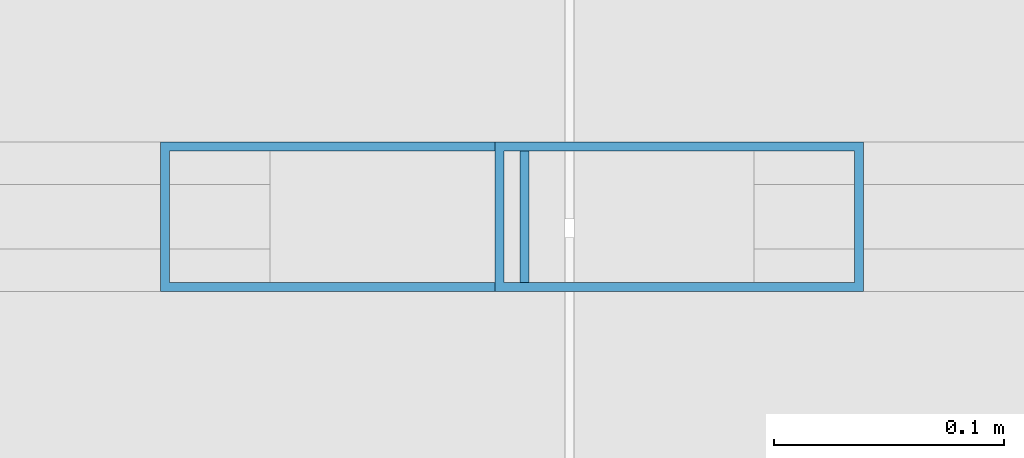
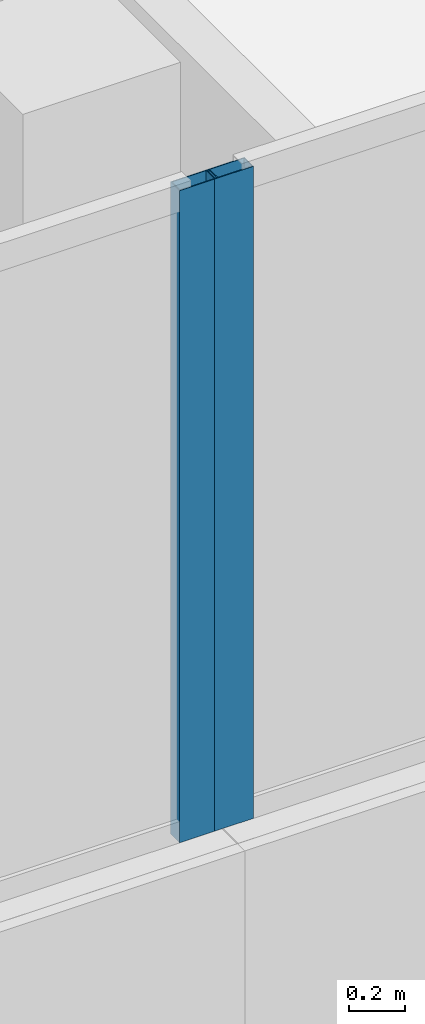
# One storey, part 47 of 76: 2 members, 2 elements without a shape of their own.
"""IFC4 building model written with IfcOpenShell, lengths in metres."""

import ifcopenshell
import ifcopenshell.guid

model = None  # the IFC model being written
_history = None  # IfcOwnerHistory: only IFC2X3 demands one
_inside = {}  # id of a spatial element -> (the spatial element, [elements in it])
_under = {}  # id of a project, library or spatial element -> (it, [spatial elements below it])
_declared = {}  # id of a project -> (the project, [libraries it declares])
_typed = {}  # id of a type object -> (the type object, [elements of that type])
_made_of = {}  # id of a material, layer set ... -> (it, [elements and type objects made of it])


def new_model(schema):
    """Start an empty IFC model of exactly this schema.

    Asked for "IFC4X3", IfcOpenShell would pick the latest addendum, in which some entities
    have other attributes; the version numbers below select the first issue.
    IFC2X3 requires an IfcOwnerHistory on every rooted entity: one is made here for all.
    """
    global model, _history
    if schema == "IFC4X3":
        model = ifcopenshell.file(schema_version=(4, 3, 0, 0))
    else:
        model = ifcopenshell.file(schema=schema)
    _inside.clear()
    _under.clear()
    _declared.clear()
    _typed.clear()
    _made_of.clear()
    _history = None
    if model.schema == "IFC2X3":
        org = make("IfcOrganization", Name="unknown")
        user = make(
            "IfcPersonAndOrganization",
            ThePerson=make("IfcPerson", FamilyName="unknown"),
            TheOrganization=org,
        )
        app = make(
            "IfcApplication",
            ApplicationDeveloper=org,
            Version="unknown",
            ApplicationFullName="unknown",
            ApplicationIdentifier="unknown",
        )
        _history = make(
            "IfcOwnerHistory",
            OwningUser=user,
            OwningApplication=app,
            ChangeAction="ADDED",
            CreationDate=0,
        )
    return model


def make(cls, **values):
    """One entity of the class cls with the attributes given. An attribute that is None is left unset."""
    return model.create_entity(
        cls, **{name: value for name, value in values.items() if value is not None}
    )


def rooted(cls, **values):
    """An entity with a GlobalId (a new one), such as an element, a storey or a relation."""
    return make(cls, GlobalId=ifcopenshell.guid.new(), OwnerHistory=_history, **values)


def si_unit(unit_type, name, prefix=None):
    """IfcSIUnit, for example si_unit("LENGTHUNIT", "METRE", prefix="MILLI")."""
    return make("IfcSIUnit", UnitType=unit_type, Prefix=prefix, Name=name)


def assignment(units):
    """IfcUnitAssignment: the units of a project."""
    return None if units is None else make("IfcUnitAssignment", Units=units)


def point(xyz):
    """IfcCartesianPoint."""
    return None if xyz is None else make("IfcCartesianPoint", Coordinates=xyz)


def direction(xyz):
    """IfcDirection."""
    return None if xyz is None else make("IfcDirection", DirectionRatios=xyz)


def frame(location, z_axis=None, x_axis=None):
    """IfcAxis2Placement3D, a coordinate frame: its origin and axes. An axis left out is left unset."""
    return make(
        "IfcAxis2Placement3D",
        Location=point(location),
        Axis=direction(z_axis),
        RefDirection=direction(x_axis),
    )


def frame_2d(location, x_axis=None):
    """IfcAxis2Placement2D, a coordinate frame in the plane: its origin and x axis."""
    return make(
        "IfcAxis2Placement2D", Location=point(location), RefDirection=direction(x_axis)
    )


def origin():
    """The frame at (0, 0, 0) with its axes left unset."""
    return frame((0.0, 0.0, 0.0))


def origin_2d():
    """The frame at (0, 0) in the plane with its x axis left unset."""
    return frame_2d((0.0, 0.0))


def place(relative_to, where):
    """IfcLocalPlacement: puts the frame where relative to a parent placement (None: the world)."""
    return make(
        "IfcLocalPlacement", PlacementRelTo=relative_to, RelativePlacement=where
    )


def context(
    kind, dimensions, precision=None, world=None, true_north=None, identifier=None
):
    """IfcGeometricRepresentationContext, for example the 3D "Model" context."""
    return make(
        "IfcGeometricRepresentationContext",
        ContextIdentifier=identifier,
        ContextType=kind,
        CoordinateSpaceDimension=dimensions,
        Precision=precision,
        WorldCoordinateSystem=world,
        TrueNorth=true_north,
    )


def subcontext(parent, identifier, kind, view, scale=None):
    """IfcGeometricRepresentationSubContext, for example "Body" below "Model"."""
    return make(
        "IfcGeometricRepresentationSubContext",
        ContextIdentifier=identifier,
        ContextType=kind,
        ParentContext=parent,
        TargetScale=scale,
        TargetView=view,
    )


def project(units=None, contexts=None):
    """IfcProject with its units and contexts."""
    return rooted(
        "IfcProject",
        Name="project",
        RepresentationContexts=contexts,
        UnitsInContext=assignment(units),
    )


def spatial(cls, under=None, at=None, **own):
    """A site, building, storey or space (cls), placed at a placement, below another one or the project."""
    s = rooted(cls, ObjectPlacement=at, **own)
    if under is not None:
        _under.setdefault(under.id(), (under, []))[1].append(s)
    return s


def profile(cls, at=None, kind="AREA", **sizes):
    """A parametric profile (cls). Its sizes go by their IFC names, for example OverallWidth=200.0."""
    return make(cls, ProfileType=kind, Position=at, **sizes)


def hollow_rectangle(**sizes):
    """IfcRectangleHollowProfileDef."""
    return profile("IfcRectangleHollowProfileDef", **sizes)


def extrude(swept, where, along, depth):
    """IfcExtrudedAreaSolid: the profile swept, set in the frame where, extruded along a direction by depth."""
    return make(
        "IfcExtrudedAreaSolid",
        SweptArea=swept,
        Position=where,
        ExtrudedDirection=direction(along),
        Depth=depth,
    )


def shape(context_of_items, identifier, shape_type, items):
    """IfcShapeRepresentation: the items that make up one representation, for example the "Body"."""
    return make(
        "IfcShapeRepresentation",
        ContextOfItems=context_of_items,
        RepresentationIdentifier=identifier,
        RepresentationType=shape_type,
        Items=items,
    )


def material(Name=None, Category=None):
    """IfcMaterial."""
    return make("IfcMaterial", Name=Name, Category=Category)


def material_profile(
    of_material, cross_section, Name=None, Category=None, Priority=None
):
    """IfcMaterialProfile: a cross section and its material."""
    return make(
        "IfcMaterialProfile",
        Name=Name,
        Material=of_material,
        Profile=cross_section,
        Priority=Priority,
        Category=Category,
    )


def profile_set(profiles, Name=None, composite=None):
    """IfcMaterialProfileSet."""
    return make(
        "IfcMaterialProfileSet",
        Name=Name,
        MaterialProfiles=profiles,
        CompositeProfile=composite,
    )


def made_of(thing, what):
    """Note that an element or type object is made of a material, layer set ...; save() writes the relation."""
    if what is not None:
        _made_of.setdefault(what.id(), (what, []))[1].append(thing)
    return thing


def type_object(cls, material=None, **own):
    """A type object (cls), such as IfcWallType, which elements share."""
    return made_of(rooted(cls, **own), material)


def element(
    cls,
    number,
    at=None,
    inside=None,
    cuts=None,
    type_object=None,
    material=None,
    context=None,
    identifier="Body",
    shape_type=None,
    held_by="IfcProductDefinitionShape",
    body=None,
    shapes=None,
    **own,
):
    """One element of the class cls, such as IfcWall. Its Tag is "e" and its number.

    at: its placement. inside: the storey or other place that contains it. cuts: it is an
    opening in that element (IfcRelVoidsElement). A single representation is given by context,
    identifier, shape_type and body (its items); several are given by shapes. held_by: the class
    of the entity that holds the representations. save() writes the other relations.
    """
    e = rooted(cls, Tag="e%d" % number, ObjectPlacement=at, **own)
    if body is not None:
        shapes = [shape(context, identifier, shape_type, body)]
    if shapes is not None:
        e.Representation = make(held_by, Representations=shapes)
    if inside is not None:
        _inside.setdefault(inside.id(), (inside, []))[1].append(e)
    if cuts is not None:
        rooted(
            "IfcRelVoidsElement", RelatingBuildingElement=cuts, RelatedOpeningElement=e
        )
    if type_object is not None:
        _typed.setdefault(type_object.id(), (type_object, []))[1].append(e)
    return made_of(e, material)


def aggregate(whole, parts):
    """IfcRelAggregates: a whole, such as a stair, and the parts it consists of."""
    return rooted("IfcRelAggregates", RelatingObject=whole, RelatedObjects=parts)


def save(model, path):
    """Write the relations noted so far, then the file.

    IfcRelAggregates (storeys below a building ...), IfcRelContainedInSpatialStructure (elements
    in a storey), IfcRelDefinesByType, IfcRelAssociatesMaterial and IfcRelDeclares: one each for
    every whole, place, type object, material and project.
    """
    for whole, parts in _under.values():
        aggregate(whole, parts)
    for where, things in _inside.values():
        rooted(
            "IfcRelContainedInSpatialStructure",
            RelatedElements=things,
            RelatingStructure=where,
        )
    for kind, things in _typed.values():
        rooted("IfcRelDefinesByType", RelatedObjects=things, RelatingType=kind)
    for what, things in _made_of.values():
        rooted("IfcRelAssociatesMaterial", RelatedObjects=things, RelatingMaterial=what)
    for by, libraries in _declared.values():
        rooted("IfcRelDeclares", RelatingContext=by, RelatedDefinitions=libraries)
    model.write(path)


model = new_model("IFC4")

# Units and contexts
model_context = context("Model", 3, precision=1e-05, world=origin(), true_north=direction((0.0, 1.0)))
body_context = subcontext(model_context, "Body", "Model", "MODEL_VIEW")
ifc_project = project(units=[si_unit("LENGTHUNIT", "METRE"), si_unit("AREAUNIT", "SQUARE_METRE"), si_unit("VOLUMEUNIT", "CUBIC_METRE"), si_unit("PLANEANGLEUNIT", "RADIAN"), si_unit("MASSUNIT", "GRAM", prefix="KILO")], contexts=[model_context])

# Site, building, storey
site_placement = place(None, origin())
site = spatial("IfcSite", under=ifc_project, at=site_placement, CompositionType="ELEMENT")
building_placement = place(site_placement, origin())
building = spatial("IfcBuilding", under=site, at=building_placement, Name="Selatvlak General Hospital", CompositionType="ELEMENT")
storey_placement = place(building_placement, frame((0.0, 0.0, 27.300048828125)))
storey = spatial("IfcBuildingStorey", under=building, at=storey_placement, Name="L06", CompositionType="ELEMENT", Elevation=27.300048828125)

# Curtain wall, member
ifc_material_1 = material(Name="Solar-control Low-E double glazing", Category="glass")
curtain_wall_type_1 = type_object("IfcCurtainWallType", Name="CW-CW-01", PredefinedType="USERDEFINED", material=ifc_material_1)
curtain_wall_1_placement = place(storey_placement, origin())
curtain_wall_1 = element("IfcCurtainWall", 1, at=curtain_wall_1_placement, inside=storey, type_object=curtain_wall_type_1, Name="Glazed facade curtain wall CW-L06-0621", ObjectType="UNITISED CURTAIN WALL", PredefinedType="USERDEFINED")
ifc_material_2 = material(Name="Dark anodised aluminium mullion", Category="aluminium")
ifc_material_profile = material_profile(ifc_material_2, hollow_rectangle(XDim=0.06494140625, YDim=0.159912109375, WallThickness=0.00390625, at=origin_2d()), Name="AL-MUL 65x160x4")
ifc_profile_set = profile_set([ifc_material_profile], Name="Dark anodised aluminium mullion")
member_type = type_object("IfcMemberType", Name="CWM-01", PredefinedType="MULLION", material=ifc_profile_set)
member_1_placement = place(storey_placement, frame((165.28955078125, 88.0009765625, 0.93994140625), z_axis=(0.0, 0.0, 1.0), x_axis=(0.0, -1.0, 0.0)))
member_1 = element("IfcMember", 2, at=member_1_placement, type_object=member_type, Name="CW-01 mullion 4", PredefinedType="MULLION", context=body_context, shape_type="SweptSolid", body=[
    extrude(hollow_rectangle(XDim=0.06494140625, YDim=0.159912109375, WallThickness=0.00390625, at=origin_2d()), origin(), (0.0, 0.0, 1.0), 2.840087890625),
])
aggregate(curtain_wall_1, [member_1])

curtain_wall_type_2 = type_object("IfcCurtainWallType", Name="CW-CW-02", PredefinedType="USERDEFINED", material=ifc_material_1)
curtain_wall_2_placement = place(storey_placement, origin())
curtain_wall_2 = element("IfcCurtainWall", 3, at=curtain_wall_2_placement, inside=storey, type_object=curtain_wall_type_2, Name="Glazed facade curtain wall CW-L06-0622", ObjectType="UNITISED CURTAIN WALL", PredefinedType="USERDEFINED")
member_2_placement = place(storey_placement, frame((165.14453125, 88.0009765625, 0.93994140625), z_axis=(0.0, 0.0, 1.0), x_axis=(0.0, -1.0, 0.0)))
member_2 = element("IfcMember", 4, at=member_2_placement, type_object=member_type, Name="CW-02 mullion 1", PredefinedType="MULLION", context=body_context, shape_type="SweptSolid", body=[
    extrude(hollow_rectangle(XDim=0.06494140625, YDim=0.159912109375, WallThickness=0.00390625, at=origin_2d()), origin(), (0.0, 0.0, 1.0), 2.840087890625),
])
aggregate(curtain_wall_2, [member_2])

save(model, "model.ifc")
